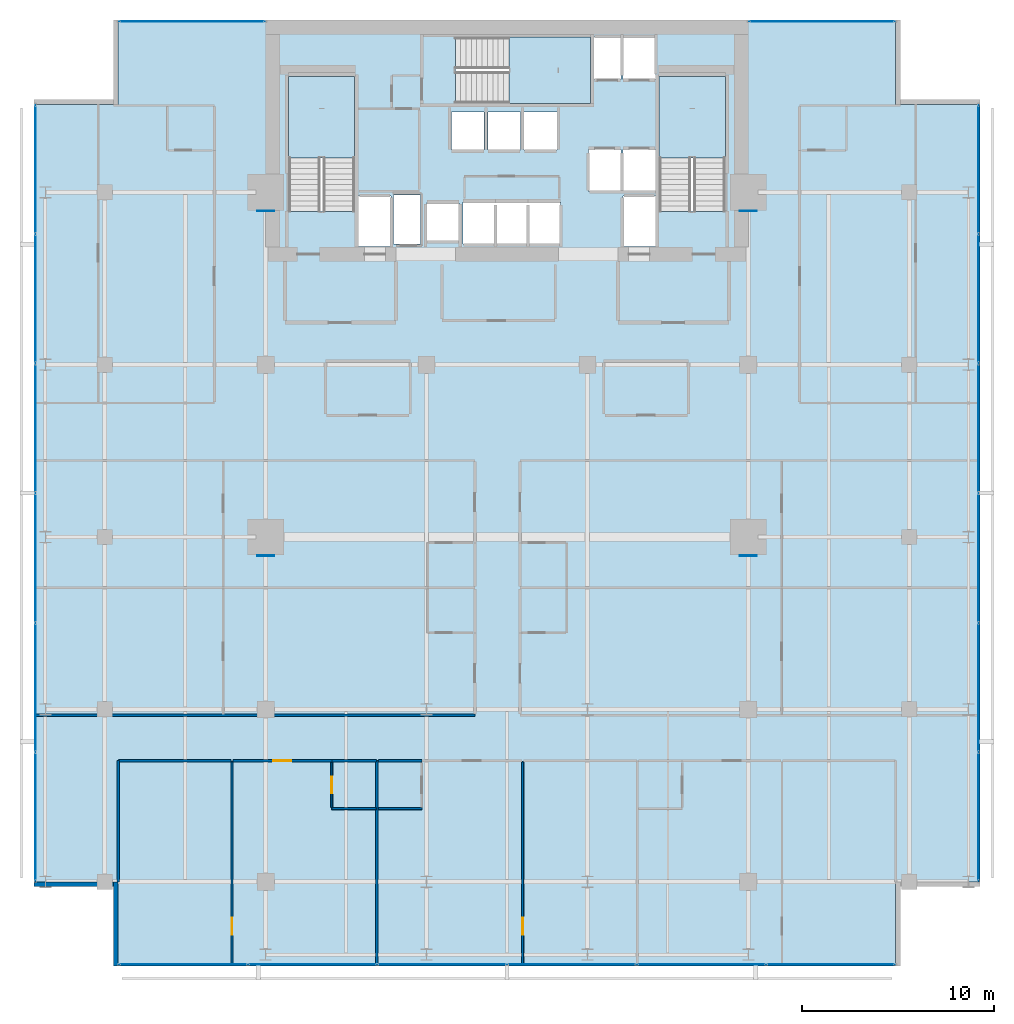
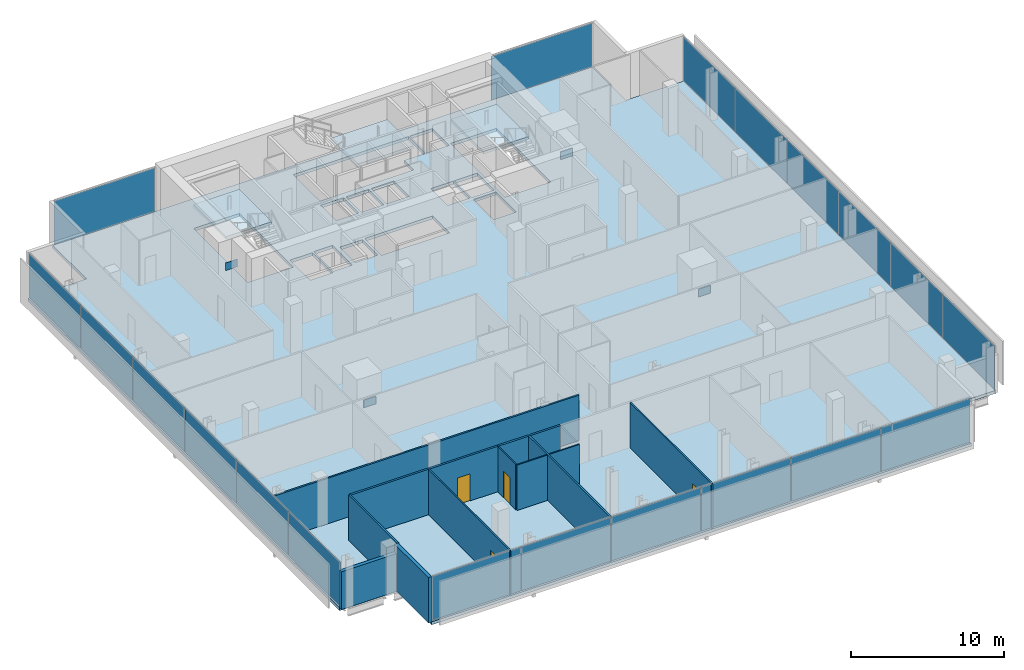
# One storey, part 26 of 32: 24 plates, 14 walls, 4 doors, 4 slabs, 4 openings, 8 elements without a shape of their own.
"""IFC4 building model written with IfcOpenShell, lengths in metres."""

from ifc_helpers import new_model, si_unit, direction, frame, frame_2d, origin, origin_2d, place, context, subcontext, project, spatial, polyline, rectangle, outline, extrude, material, layer, layer_set, type_object, element, fill, aggregate, save


model = new_model("IFC4")

# Units and contexts
model_context = context("Model", 3, precision=1e-05, world=origin(), true_north=direction((0.0, 1.0)))
body_context = subcontext(model_context, "Body", "Model", "MODEL_VIEW")
ifc_project = project(units=[si_unit("LENGTHUNIT", "METRE"), si_unit("AREAUNIT", "SQUARE_METRE"), si_unit("VOLUMEUNIT", "CUBIC_METRE"), si_unit("PLANEANGLEUNIT", "RADIAN"), si_unit("MASSUNIT", "GRAM", prefix="KILO")], contexts=[model_context])

# Site, building, storey
site_placement = place(None, origin())
site = spatial("IfcSite", under=ifc_project, at=site_placement, CompositionType="ELEMENT")
building_placement = place(site_placement, origin())
building = spatial("IfcBuilding", under=site, at=building_placement, Name="Maruvema Waterfront Hotel and Observation Tower", CompositionType="ELEMENT")
storey_placement = place(building_placement, frame((0.0, 0.0, 162.050048828125)))
storey = spatial("IfcBuildingStorey", under=building, at=storey_placement, Name="L39", CompositionType="ELEMENT", Elevation=162.050048828125)

# Slab
ifc_material_1 = material(Name="Concrete C50/60", Category="concrete")
ifc_layer_1 = layer(ifc_material_1, 0.239990234375, Name="Reinforced Concrete Floor Slab 240 mm")
ifc_layer_set_1 = layer_set([ifc_layer_1], Name="Concrete C50/60")
slab_type_1 = type_object("IfcSlabType", Name="Reinforced Concrete Floor Slab 240 mm", PredefinedType="FLOOR", material=ifc_layer_set_1)
slab_1_placement = place(storey_placement, frame((0.0, 0.0, -0.239990234375)))
element("IfcSlab", 1, at=slab_1_placement, inside=storey, type_object=slab_type_1, Name="L39 Structural Floor Slab", PredefinedType="FLOOR", context=body_context, shape_type="SweptSolid", body=[
    extrude(outline(polyline([(17.5, 4.60009765625), (58.10009765625, 4.60009765625), (58.10009765625, 9.0), (62.5, 9.0), (62.5, 49.60009765625), (58.10009765625, 49.60009765625), (58.10009765625, 54.0), (17.5, 54.0), (17.5, 49.60009765625), (13.10009765625, 49.60009765625), (13.10009765625, 9.0), (17.5, 9.0), (17.5, 4.60009765625)]), holes=[polyline([(26.39990234375, 44.00048828125), (26.39990234375, 51.050048828125), (29.85009765625, 51.050048828125), (29.85009765625, 44.00048828125), (26.39990234375, 44.00048828125)]), polyline([(30.050048828125, 44.800048828125), (31.75, 44.800048828125), (31.75, 42.169921875), (30.050048828125, 42.169921875), (30.050048828125, 44.800048828125)]), polyline([(31.8798828125, 44.860107421875), (33.280029296875, 44.860107421875), (33.280029296875, 42.2900390625), (31.8798828125, 42.2900390625), (31.8798828125, 44.860107421875)]), polyline([(33.60009765625, 44.449951171875), (35.300048828125, 44.449951171875), (35.300048828125, 42.449951171875), (33.60009765625, 42.449951171875), (33.60009765625, 44.449951171875)]), polyline([(34.89990234375, 49.199951171875), (36.60009765625, 49.199951171875), (36.60009765625, 47.199951171875), (34.89990234375, 47.199951171875), (34.89990234375, 49.199951171875)]), polyline([(36.800048828125, 49.199951171875), (38.5, 49.199951171875), (38.5, 47.199951171875), (36.800048828125, 47.199951171875), (36.800048828125, 49.199951171875)]), polyline([(35.5, 42.300048828125), (35.5, 44.5), (40.60009765625, 44.5), (40.60009765625, 42.300048828125), (35.5, 42.300048828125)]), polyline([(35.1005859375, 53.10009765625), (43.75, 53.10009765625), (43.75, 50.89990234375), (42.14990234375, 50.89990234375), (42.14990234375, 49.64990234375), (35.1005859375, 49.64990234375), (35.1005859375, 53.10009765625)]), polyline([(38.699951171875, 49.199951171875), (40.39990234375, 49.199951171875), (40.39990234375, 47.199951171875), (38.699951171875, 47.199951171875), (38.699951171875, 49.199951171875)]), polyline([(42.050048828125, 47.25), (43.75, 47.25), (43.75, 45.050048828125), (42.050048828125, 45.050048828125), (42.050048828125, 47.25)]), polyline([(43.85009765625, 44.800048828125), (45.550048828125, 44.800048828125), (45.550048828125, 42.169921875), (43.85009765625, 42.169921875), (43.85009765625, 44.800048828125)]), polyline([(43.85009765625, 47.25), (45.550048828125, 47.25), (45.550048828125, 45.050048828125), (43.85009765625, 45.050048828125), (43.85009765625, 47.25)]), polyline([(45.550048828125, 53.10009765625), (45.550048828125, 50.89990234375), (43.85009765625, 50.89990234375), (43.85009765625, 53.10009765625), (45.550048828125, 53.10009765625)]), polyline([(45.75, 44.00048828125), (45.75, 51.050048828125), (49.199951171875, 51.050048828125), (49.199951171875, 44.00048828125), (45.75, 44.00048828125)])]), origin(), (0.0, 0.0, 1.0), 0.239990234375),
])

# Curtain wall, plates
ifc_material_2 = material(Name="Anodised bronze aluminium and solar-control low-E IGU", Category="aluminium")
ifc_layer_2 = layer(ifc_material_2, 0.159912109375, Name="Zone 2 Amber Inner Thermal Curtain Wall System CW-03")
ifc_layer_set_2 = layer_set([ifc_layer_2], Name="Anodised bronze aluminium and solar-control low-E IGU")
curtain_wall_type = type_object("IfcCurtainWallType", Name="Zone 2 Amber Inner Thermal Curtain Wall System CW-03", PredefinedType="USERDEFINED", material=ifc_layer_set_2)
curtain_wall_1_placement = place(storey_placement, origin())
curtain_wall_1 = element("IfcCurtainWall", 2, at=curtain_wall_1_placement, inside=storey, type_object=curtain_wall_type, Name="L39 Curtain Wall CW-L39-S", ObjectType="UNITISED CURTAIN WALL", PredefinedType="USERDEFINED")
ifc_material_3 = material(Name="Laminated low-E solar-control double glazing", Category="glass")
ifc_layer_3 = layer(ifc_material_3, 0.035888671875, Name="Solar Control Double-Glazed Curtain Panel 36 mm")
ifc_layer_set_3 = layer_set([ifc_layer_3], Name="Laminated low-E solar-control double glazing")
plate_type_1 = type_object("IfcPlateType", Name="Solar Control Double-Glazed Curtain Panel 36 mm", PredefinedType="CURTAIN_PANEL", material=ifc_layer_set_3)
plate_1_placement = place(storey_placement, frame((20.8984375, 4.679931640625, 0.06005859375), z_axis=(0.0, 0.0, 1.0), x_axis=(1.0, 0.0, 0.0)))
plate_1 = element("IfcPlate", 3, at=plate_1_placement, type_object=plate_type_1, Name="CW-03 panel 1.1", PredefinedType="CURTAIN_PANEL", context=body_context, shape_type="SweptSolid", body=[
    extrude(rectangle(XDim=6.6767578125, YDim=0.028076171875, at=origin_2d()), origin(), (0.0, 0.0, 1.0), 3.489990234375),
])
plate_2_placement = place(storey_placement, frame((27.64990234375, 4.679931640625, 0.06005859375), z_axis=(0.0, 0.0, 1.0), x_axis=(1.0, 0.0, 0.0)))
plate_2 = element("IfcPlate", 4, at=plate_2_placement, type_object=plate_type_1, Name="CW-03 panel 2.1", PredefinedType="CURTAIN_PANEL", context=body_context, shape_type="SweptSolid", body=[
    extrude(rectangle(XDim=6.706787109375, YDim=0.028076171875, at=origin_2d()), origin(), (0.0, 0.0, 1.0), 3.489990234375),
])
plate_3_placement = place(storey_placement, frame((34.416748046875, 4.679931640625, 0.06005859375), z_axis=(0.0, 0.0, 1.0), x_axis=(1.0, 0.0, 0.0)))
plate_3 = element("IfcPlate", 5, at=plate_3_placement, type_object=plate_type_1, Name="CW-03 panel 3.1", PredefinedType="CURTAIN_PANEL", context=body_context, shape_type="SweptSolid", body=[
    extrude(rectangle(XDim=6.706787109375, YDim=0.028076171875, at=origin_2d()), origin(), (0.0, 0.0, 1.0), 3.489990234375),
])
plate_4_placement = place(storey_placement, frame((41.183349609375, 4.679931640625, 0.06005859375), z_axis=(0.0, 0.0, 1.0), x_axis=(1.0, 0.0, 0.0)))
plate_4 = element("IfcPlate", 6, at=plate_4_placement, type_object=plate_type_1, Name="CW-03 panel 4.1", PredefinedType="CURTAIN_PANEL", context=body_context, shape_type="SweptSolid", body=[
    extrude(rectangle(XDim=6.706787109375, YDim=0.028076171875, at=origin_2d()), origin(), (0.0, 0.0, 1.0), 3.489990234375),
])
plate_5_placement = place(storey_placement, frame((47.949951171875, 4.679931640625, 0.06005859375), z_axis=(0.0, 0.0, 1.0), x_axis=(1.0, 0.0, 0.0)))
plate_5 = element("IfcPlate", 7, at=plate_5_placement, type_object=plate_type_1, Name="CW-03 panel 5.1", PredefinedType="CURTAIN_PANEL", context=body_context, shape_type="SweptSolid", body=[
    extrude(rectangle(XDim=6.706787109375, YDim=0.028076171875, at=origin_2d()), origin(), (0.0, 0.0, 1.0), 3.489990234375),
])
plate_6_placement = place(storey_placement, frame((54.70166015625, 4.679931640625, 0.06005859375), z_axis=(0.0, 0.0, 1.0), x_axis=(1.0, 0.0, 0.0)))
plate_6 = element("IfcPlate", 8, at=plate_6_placement, type_object=plate_type_1, Name="CW-03 panel 6.1", PredefinedType="CURTAIN_PANEL", context=body_context, shape_type="SweptSolid", body=[
    extrude(rectangle(XDim=6.6767578125, YDim=0.028076171875, at=origin_2d()), origin(), (0.0, 0.0, 1.0), 3.489990234375),
])
aggregate(curtain_wall_1, [plate_1, plate_2, plate_3, plate_4, plate_5, plate_6])

curtain_wall_2_placement = place(storey_placement, origin())
curtain_wall_2 = element("IfcCurtainWall", 9, at=curtain_wall_2_placement, inside=storey, type_object=curtain_wall_type, Name="L39 Curtain Wall CW-L39-E", ObjectType="UNITISED CURTAIN WALL", PredefinedType="USERDEFINED")
plate_7_placement = place(storey_placement, frame((62.419921875, 12.3984375, 0.06005859375), z_axis=(0.0, 0.0, 1.0), x_axis=(0.0, 1.0, 0.0)))
plate_7 = element("IfcPlate", 10, at=plate_7_placement, type_object=plate_type_1, Name="CW-03 panel 1.1", PredefinedType="CURTAIN_PANEL", context=body_context, shape_type="SweptSolid", body=[
    extrude(rectangle(XDim=6.6767578125, YDim=0.028076171875, at=origin_2d()), origin(), (0.0, 0.0, 1.0), 3.489990234375),
])
plate_8_placement = place(storey_placement, frame((62.419921875, 19.14990234375, 0.06005859375), z_axis=(0.0, 0.0, 1.0), x_axis=(0.0, 1.0, 0.0)))
plate_8 = element("IfcPlate", 11, at=plate_8_placement, type_object=plate_type_1, Name="CW-03 panel 2.1", PredefinedType="CURTAIN_PANEL", context=body_context, shape_type="SweptSolid", body=[
    extrude(rectangle(XDim=6.706787109375, YDim=0.028076171875, at=origin_2d()), origin(), (0.0, 0.0, 1.0), 3.489990234375),
])
plate_9_placement = place(storey_placement, frame((62.419921875, 25.916748046875, 0.06005859375), z_axis=(0.0, 0.0, 1.0), x_axis=(0.0, 1.0, 0.0)))
plate_9 = element("IfcPlate", 12, at=plate_9_placement, type_object=plate_type_1, Name="CW-03 panel 3.1", PredefinedType="CURTAIN_PANEL", context=body_context, shape_type="SweptSolid", body=[
    extrude(rectangle(XDim=6.706787109375, YDim=0.028076171875, at=origin_2d()), origin(), (0.0, 0.0, 1.0), 3.489990234375),
])
plate_10_placement = place(storey_placement, frame((62.419921875, 32.683349609375, 0.06005859375), z_axis=(0.0, 0.0, 1.0), x_axis=(0.0, 1.0, 0.0)))
plate_10 = element("IfcPlate", 13, at=plate_10_placement, type_object=plate_type_1, Name="CW-03 panel 4.1", PredefinedType="CURTAIN_PANEL", context=body_context, shape_type="SweptSolid", body=[
    extrude(rectangle(XDim=6.706787109375, YDim=0.028076171875, at=origin_2d()), origin(), (0.0, 0.0, 1.0), 3.489990234375),
])
plate_11_placement = place(storey_placement, frame((62.419921875, 39.449951171875, 0.06005859375), z_axis=(0.0, 0.0, 1.0), x_axis=(0.0, 1.0, 0.0)))
plate_11 = element("IfcPlate", 14, at=plate_11_placement, type_object=plate_type_1, Name="CW-03 panel 5.1", PredefinedType="CURTAIN_PANEL", context=body_context, shape_type="SweptSolid", body=[
    extrude(rectangle(XDim=6.706787109375, YDim=0.028076171875, at=origin_2d()), origin(), (0.0, 0.0, 1.0), 3.489990234375),
])
plate_12_placement = place(storey_placement, frame((62.419921875, 46.20166015625, 0.06005859375), z_axis=(0.0, 0.0, 1.0), x_axis=(0.0, 1.0, 0.0)))
plate_12 = element("IfcPlate", 15, at=plate_12_placement, type_object=plate_type_1, Name="CW-03 panel 6.1", PredefinedType="CURTAIN_PANEL", context=body_context, shape_type="SweptSolid", body=[
    extrude(rectangle(XDim=6.6767578125, YDim=0.028076171875, at=origin_2d()), origin(), (0.0, 0.0, 1.0), 3.489990234375),
])
aggregate(curtain_wall_2, [plate_7, plate_8, plate_9, plate_10, plate_11, plate_12])

curtain_wall_3_placement = place(storey_placement, origin())
curtain_wall_3 = element("IfcCurtainWall", 16, at=curtain_wall_3_placement, inside=storey, type_object=curtain_wall_type, Name="L39 Curtain Wall CW-L39-W", ObjectType="UNITISED CURTAIN WALL", PredefinedType="USERDEFINED")
plate_13_placement = place(storey_placement, frame((13.179931640625, 46.20166015625, 0.06005859375), z_axis=(0.0, 0.0, 1.0), x_axis=(0.0, -1.0, 0.0)))
plate_13 = element("IfcPlate", 17, at=plate_13_placement, type_object=plate_type_1, Name="CW-03 panel 1.1", PredefinedType="CURTAIN_PANEL", context=body_context, shape_type="SweptSolid", body=[
    extrude(rectangle(XDim=6.6767578125, YDim=0.028076171875, at=origin_2d()), origin(), (0.0, 0.0, 1.0), 3.489990234375),
])
plate_14_placement = place(storey_placement, frame((13.179931640625, 39.449951171875, 0.06005859375), z_axis=(0.0, 0.0, 1.0), x_axis=(0.0, -1.0, 0.0)))
plate_14 = element("IfcPlate", 18, at=plate_14_placement, type_object=plate_type_1, Name="CW-03 panel 2.1", PredefinedType="CURTAIN_PANEL", context=body_context, shape_type="SweptSolid", body=[
    extrude(rectangle(XDim=6.706787109375, YDim=0.028076171875, at=origin_2d()), origin(), (0.0, 0.0, 1.0), 3.489990234375),
])
plate_15_placement = place(storey_placement, frame((13.179931640625, 32.683349609375, 0.06005859375), z_axis=(0.0, 0.0, 1.0), x_axis=(0.0, -1.0, 0.0)))
plate_15 = element("IfcPlate", 19, at=plate_15_placement, type_object=plate_type_1, Name="CW-03 panel 3.1", PredefinedType="CURTAIN_PANEL", context=body_context, shape_type="SweptSolid", body=[
    extrude(rectangle(XDim=6.706787109375, YDim=0.028076171875, at=origin_2d()), origin(), (0.0, 0.0, 1.0), 3.489990234375),
])
plate_16_placement = place(storey_placement, frame((13.179931640625, 25.916748046875, 0.06005859375), z_axis=(0.0, 0.0, 1.0), x_axis=(0.0, -1.0, 0.0)))
plate_16 = element("IfcPlate", 20, at=plate_16_placement, type_object=plate_type_1, Name="CW-03 panel 4.1", PredefinedType="CURTAIN_PANEL", context=body_context, shape_type="SweptSolid", body=[
    extrude(rectangle(XDim=6.706787109375, YDim=0.028076171875, at=origin_2d()), origin(), (0.0, 0.0, 1.0), 3.489990234375),
])
plate_17_placement = place(storey_placement, frame((13.179931640625, 19.14990234375, 0.06005859375), z_axis=(0.0, 0.0, 1.0), x_axis=(0.0, -1.0, 0.0)))
plate_17 = element("IfcPlate", 21, at=plate_17_placement, type_object=plate_type_1, Name="CW-03 panel 5.1", PredefinedType="CURTAIN_PANEL", context=body_context, shape_type="SweptSolid", body=[
    extrude(rectangle(XDim=6.706787109375, YDim=0.028076171875, at=origin_2d()), origin(), (0.0, 0.0, 1.0), 3.489990234375),
])
plate_18_placement = place(storey_placement, frame((13.179931640625, 12.3984375, 0.06005859375), z_axis=(0.0, 0.0, 1.0), x_axis=(0.0, -1.0, 0.0)))
plate_18 = element("IfcPlate", 22, at=plate_18_placement, type_object=plate_type_1, Name="CW-03 panel 6.1", PredefinedType="CURTAIN_PANEL", context=body_context, shape_type="SweptSolid", body=[
    extrude(rectangle(XDim=6.6767578125, YDim=0.028076171875, at=origin_2d()), origin(), (0.0, 0.0, 1.0), 3.489990234375),
])
aggregate(curtain_wall_3, [plate_13, plate_14, plate_15, plate_16, plate_17, plate_18])

# Curtain wall, plate
curtain_wall_4_placement = place(storey_placement, origin())
curtain_wall_4 = element("IfcCurtainWall", 23, at=curtain_wall_4_placement, inside=storey, type_object=curtain_wall_type, Name="L39 Curtain Wall CW-L39-NW", ObjectType="UNITISED CURTAIN WALL", PredefinedType="USERDEFINED")
plate_19_placement = place(storey_placement, frame((21.35009765625, 53.919921875, 0.06005859375), z_axis=(0.0, 0.0, 1.0), x_axis=(-1.0, 0.0, 0.0)))
plate_19 = element("IfcPlate", 24, at=plate_19_placement, type_object=plate_type_1, Name="CW-03 panel 1.1", PredefinedType="CURTAIN_PANEL", context=body_context, shape_type="SweptSolid", body=[
    extrude(rectangle(XDim=7.580078125, YDim=0.028076171875, at=origin_2d()), origin(), (0.0, 0.0, 1.0), 3.489990234375),
])
aggregate(curtain_wall_4, [plate_19])

curtain_wall_5_placement = place(storey_placement, origin())
curtain_wall_5 = element("IfcCurtainWall", 25, at=curtain_wall_5_placement, inside=storey, type_object=curtain_wall_type, Name="L39 Curtain Wall CW-L39-NE", ObjectType="UNITISED CURTAIN WALL", PredefinedType="USERDEFINED")
plate_20_placement = place(storey_placement, frame((54.25, 53.919921875, 0.06005859375), z_axis=(0.0, 0.0, 1.0), x_axis=(-1.0, 0.0, 0.0)))
plate_20 = element("IfcPlate", 26, at=plate_20_placement, type_object=plate_type_1, Name="CW-03 panel 1.1", PredefinedType="CURTAIN_PANEL", context=body_context, shape_type="SweptSolid", body=[
    extrude(rectangle(XDim=7.580078125, YDim=0.028076171875, at=origin_2d()), origin(), (0.0, 0.0, 1.0), 3.489990234375),
])
aggregate(curtain_wall_5, [plate_20])

# Stair, slab
ifc_material_4 = material(Name="Concrete C50/60", Category="concrete")
stair_type = type_object("IfcStairType", Name="Dogleg Exit Stair 1650 mm (22R x 175.0 mm)", PredefinedType="HALF_TURN_STAIR", material=ifc_material_4)
stair_1_placement = place(storey_placement, origin())
stair_1 = element("IfcStair", 27, at=stair_1_placement, inside=storey, type_object=stair_type, Name="L39 ST-01", PredefinedType="HALF_TURN_STAIR")
ifc_material_5 = material(Name="Concrete C50/60", Category="concrete")
ifc_layer_4 = layer(ifc_material_5, 0.219970703125, Name="Stair Concrete Landing Slab 220 mm")
ifc_layer_set_4 = layer_set([ifc_layer_4], Name="Concrete C50/60")
slab_type_2 = type_object("IfcSlabType", Name="Stair Concrete Landing Slab 220 mm", PredefinedType="LANDING", material=ifc_layer_set_4)
slab_2_placement = place(storey_placement, frame((0.0, 0.0, 1.704833984375)))
slab_2 = element("IfcSlab", 28, at=slab_2_placement, type_object=slab_type_2, Name="ST-01 landing 1", PredefinedType="LANDING", context=body_context, shape_type="SweptSolid", body=[
    extrude(outline(polyline([(29.85009765625, 46.800048828125), (29.85009765625, 51.050048828125), (26.39990234375, 51.050048828125), (26.39990234375, 46.800048828125), (29.85009765625, 46.800048828125)])), origin(), (0.0, 0.0, 1.0), 0.22021484375),
])
aggregate(stair_1, [slab_2])

stair_2_placement = place(storey_placement, origin())
stair_2 = element("IfcStair", 29, at=stair_2_placement, inside=storey, type_object=stair_type, Name="L39 ST-02", PredefinedType="HALF_TURN_STAIR")
slab_3_placement = place(storey_placement, frame((0.0, 0.0, 1.704833984375)))
slab_3 = element("IfcSlab", 30, at=slab_3_placement, type_object=slab_type_2, Name="ST-02 landing 1", PredefinedType="LANDING", context=body_context, shape_type="SweptSolid", body=[
    extrude(outline(polyline([(37.89990234375, 49.64990234375), (42.14990234375, 49.64990234375), (42.14990234375, 53.10009765625), (37.89990234375, 53.10009765625), (37.89990234375, 49.64990234375)])), origin(), (0.0, 0.0, 1.0), 0.22021484375),
])
aggregate(stair_2, [slab_3])

stair_3_placement = place(storey_placement, origin())
stair_3 = element("IfcStair", 31, at=stair_3_placement, inside=storey, type_object=stair_type, Name="L39 ST-03", PredefinedType="HALF_TURN_STAIR")
slab_4_placement = place(storey_placement, frame((0.0, 0.0, 1.704833984375)))
slab_4 = element("IfcSlab", 32, at=slab_4_placement, type_object=slab_type_2, Name="ST-03 landing 1", PredefinedType="LANDING", context=body_context, shape_type="SweptSolid", body=[
    extrude(outline(polyline([(49.199951171875, 46.800048828125), (49.199951171875, 51.050048828125), (45.75, 51.050048828125), (45.75, 46.800048828125), (49.199951171875, 46.800048828125)])), origin(), (0.0, 0.0, 1.0), 0.22021484375),
])
aggregate(stair_3, [slab_4])

# Plates
ifc_material_6 = material(Name="Steel ABNT NBR 7007 AR 415 (ASTM A572 Grade 50)", Category="steel")
ifc_layer_5 = layer(ifc_material_6, 0.0400390625, Name="Structural Truss Node Gusset Plate 40 mm")
ifc_layer_set_5 = layer_set([ifc_layer_5], Name="Steel ABNT NBR 7007 AR 415 (ASTM A572 Grade 50)")
plate_type_2 = type_object("IfcPlateType", Name="Structural Truss Node Gusset Plate 40 mm", PredefinedType="USERDEFINED", material=ifc_layer_set_5)
for number, where, z_axis, x_axis, name in (
    (33, (25.199951171875, 26.030029296875, 1.5), (0.0, 0.0, 1.0), (1.0, 0.0, 0.0), "L39 MC-01 Moment Frame Continuity Gusset Plate"),
    (34, (50.39990234375, 26.030029296875, 1.5), (0.0, 0.0, 1.0), (1.0, 0.0, 0.0), "L39 MC-02 Moment Frame Continuity Gusset Plate"),
    (35, (25.199951171875, 44.030029296875, 1.5), (0.0, 0.0, 1.0), (1.0, 0.0, 0.0), "L39 MC-03 Moment Frame Continuity Gusset Plate"),
    (36, (50.39990234375, 44.030029296875, 1.5), (0.0, 0.0, 1.0), (1.0, 0.0, 0.0), "L39 MC-04 Moment Frame Continuity Gusset Plate"),
):
    element("IfcPlate", number, at=place(storey_placement, frame(where, z_axis=z_axis, x_axis=x_axis)), inside=storey, type_object=plate_type_2, Name=name, ObjectType="GUSSET_PLATE", PredefinedType="USERDEFINED", context=body_context, shape_type="SweptSolid", body=[
        extrude(rectangle(XDim=0.89990234375, YDim=0.0400390625, at=origin_2d()), origin(), (0.0, 0.0, 1.0), 0.60009765625),
    ])

# Walls
ifc_material_7 = material(Name="Twin-stud acoustic gypsum drywall", Category="gypsum")
ifc_layer_6 = layer(ifc_material_7, 0.14990234375, Name="Acoustic Corridor and Suite Demising Wall 150 mm")
ifc_layer_set_6 = layer_set([ifc_layer_6], Name="Twin-stud acoustic gypsum drywall")
wall_type_1 = type_object("IfcWallType", Name="Acoustic Corridor and Suite Demising Wall 150 mm", PredefinedType="PARTITIONING", material=ifc_layer_set_6)
wall_1_placement = place(storey_placement, frame((28.64990234375, 15.320068359375, 0.0), z_axis=(0.0, 0.0, 1.0), x_axis=(1.0, 0.0, 0.0)))
element("IfcWall", 37, at=wall_1_placement, inside=storey, type_object=wall_type_1, Name="L39 Bath L39-S1 Back Wall 031", PredefinedType="PARTITIONING", context=body_context, shape_type="SweptSolid", body=[
    extrude(rectangle(XDim=2.330078125, YDim=0.14990234375, at=frame_2d((1.1650390625, 0.0))), origin(), (0.0, 0.0, 1.0), 3.60986328125),
])
wall_2_placement = place(storey_placement, frame((17.52001953125, 15.320068359375, 0.0), z_axis=(0.0, 0.0, 1.0), x_axis=(1.0, 0.0, 0.0)))
element("IfcWall", 38, at=wall_2_placement, inside=storey, type_object=wall_type_1, Name="L39 Bedroom L39-S1 Back Wall 034", PredefinedType="PARTITIONING", context=body_context, shape_type="SweptSolid", body=[
    extrude(rectangle(XDim=5.8798828125, YDim=0.14990234375, at=frame_2d((2.93994140625, 0.0))), origin(), (0.0, 0.0, 1.0), 3.60986328125),
])

# Wall, opening, door
wall_3_placement = place(storey_placement, frame((23.47998046875, 15.320068359375, 0.0), z_axis=(0.0, 0.0, 1.0), x_axis=(1.0, 0.0, 0.0)))
wall_3 = element("IfcWall", 39, at=wall_3_placement, inside=storey, type_object=wall_type_1, Name="L39 Unit L39-S1 Corridor Wall 035", PredefinedType="PARTITIONING", context=body_context, shape_type="SweptSolid", body=[
    extrude(rectangle(XDim=5.169921875, YDim=0.14990234375, at=frame_2d((2.5849609375, 0.0))), origin(), (0.0, 0.0, 1.0), 3.60986328125),
])
opening_1_placement = place(wall_3_placement, frame((2.110107421875, 0.0, 0.0)))
opening_1 = element("IfcOpeningElement", 40, at=opening_1_placement, cuts=wall_3, Name="Opening DR-095", PredefinedType="OPENING", context=body_context, shape_type="SweptSolid", body=[
    extrude(rectangle(XDim=0.949951171875, YDim=2.14990234375, at=frame_2d((0.47509765625, 1.074951171875))), frame((0.0, 0.0849609375, 0.0), z_axis=(0.0, -1.0, 0.0), x_axis=(1.0, 0.0, 0.0)), (0.0, 0.0, 1.0), 0.169921875),
])
ifc_material_8 = material(Name="Acoustic solid-core hardwood timber leaf", Category="wood")
door_type_1 = type_object("IfcDoorType", Name="Guestroom Entrance Fire Door 950x2150 mm", OperationType="NOTDEFINED", PredefinedType="DOOR", material=ifc_material_8)
door_1_placement = place(opening_1_placement, frame((0.949951171875, 0.0, 0.0), z_axis=(0.0, 0.0, 1.0), x_axis=(-1.0, 0.0, 0.0)))
door_1 = element("IfcDoor", 41, at=door_1_placement, inside=storey, type_object=door_type_1, Name="L39 Unit L39-S1 Entrance Door", OperationType="SINGLE_SWING_LEFT", OverallHeight=2.14990234375, OverallWidth=0.949951171875, PredefinedType="DOOR", context=body_context, shape_type="SweptSolid", body=[
    extrude(rectangle(XDim=0.949951171875, YDim=2.14990234375, at=frame_2d((0.47509765625, 1.074951171875))), frame((0.0, 0.02490234375, 0.0), z_axis=(0.0, -1.0, 0.0), x_axis=(1.0, 0.0, 0.0)), (0.0, 0.0, 1.0), 0.050048828125),
])
fill(opening_1, door_1)

# Walls
wall_4_placement = place(storey_placement, frame((31.080078125, 15.320068359375, 0.0), z_axis=(0.0, 0.0, 1.0), x_axis=(1.0, 0.0, 0.0)))
element("IfcWall", 42, at=wall_4_placement, inside=storey, type_object=wall_type_1, Name="L39 Bath L39-S2 Back Wall 038", PredefinedType="PARTITIONING", context=body_context, shape_type="SweptSolid", body=[
    extrude(rectangle(XDim=2.27001953125, YDim=0.14990234375, at=frame_2d((1.135009765625, 0.0))), origin(), (0.0, 0.0, 1.0), 3.60986328125),
])
ifc_material_9 = material(Name="Moisture-resistant cement-board drywall", Category="gypsum")
ifc_layer_7 = layer(ifc_material_9, 0.10009765625, Name="En-Suite Moisture-Resistant Partition 100 mm")
ifc_layer_set_7 = layer_set([ifc_layer_7], Name="Moisture-resistant cement-board drywall")
wall_type_2 = type_object("IfcWallType", Name="En-Suite Moisture-Resistant Partition 100 mm", PredefinedType="PARTITIONING", material=ifc_layer_set_7)
wall_5_placement = place(storey_placement, frame((28.64990234375, 12.820068359375, 0.0), z_axis=(0.0, 0.0, 1.0), x_axis=(1.0, 0.0, 0.0)))
element("IfcWall", 43, at=wall_5_placement, inside=storey, type_object=wall_type_2, Name="L39 En-Suite L39-S1 South 032", PredefinedType="PARTITIONING", context=body_context, shape_type="SweptSolid", body=[
    extrude(rectangle(XDim=2.31005859375, YDim=0.10009765625, at=frame_2d((1.155029296875, 0.0))), origin(), (0.0, 0.0, 1.0), 3.60986328125),
])

# Wall, opening, door
wall_6_placement = place(storey_placement, frame((28.64990234375, 12.8798828125, 0.0), z_axis=(0.0, 0.0, 1.0), x_axis=(0.0, 1.0, 0.0)))
wall_6 = element("IfcWall", 44, at=wall_6_placement, inside=storey, type_object=wall_type_2, Name="L39 En-Suite L39-S1 West 033", PredefinedType="PARTITIONING", context=body_context, shape_type="SweptSolid", body=[
    extrude(rectangle(XDim=2.340087890625, YDim=0.10009765625, at=frame_2d((1.169921875, 0.0))), origin(), (0.0, 0.0, 1.0), 3.60986328125),
])
opening_2_placement = place(wall_6_placement, frame((0.7451171875, 0.0, 0.0)))
opening_2 = element("IfcOpeningElement", 45, at=opening_2_placement, cuts=wall_6, Name="Opening DR-085", PredefinedType="OPENING", context=body_context, shape_type="SweptSolid", body=[
    extrude(rectangle(XDim=0.85009765625, YDim=2.10009765625, at=frame_2d((0.425048828125, 1.050048828125))), frame((0.0, 0.06005859375, 0.0), z_axis=(0.0, -1.0, 0.0), x_axis=(1.0, 0.0, 0.0)), (0.0, 0.0, 1.0), 0.1201171875),
])
ifc_material_10 = material(Name="Moisture-resistant solid timber leaf", Category="wood")
door_type_2 = type_object("IfcDoorType", Name="En-Suite Bathroom Door 850x2100 mm", OperationType="NOTDEFINED", PredefinedType="DOOR", material=ifc_material_10)
door_2_placement = place(opening_2_placement, origin())
door_2 = element("IfcDoor", 46, at=door_2_placement, inside=storey, type_object=door_type_2, Name="L39 En-Suite L39-S1 Door", OperationType="SINGLE_SWING_RIGHT", OverallHeight=2.10009765625, OverallWidth=0.85009765625, PredefinedType="DOOR", context=body_context, shape_type="SweptSolid", body=[
    extrude(rectangle(XDim=0.85009765625, YDim=2.10009765625, at=frame_2d((0.425048828125, 1.050048828125))), frame((0.0, 0.02490234375, 0.0), z_axis=(0.0, -1.0, 0.0), x_axis=(1.0, 0.0, 0.0)), (0.0, 0.0, 1.0), 0.050048828125),
])
fill(opening_2, door_2)

wall_7_placement = place(storey_placement, frame((23.43994140625, 4.6298828125, 0.0), z_axis=(0.0, 0.0, 1.0), x_axis=(0.0, 1.0, 0.0)))
wall_7 = element("IfcWall", 47, at=wall_7_placement, inside=storey, type_object=wall_type_2, Name="L39 Suite L39-S1 Split 036", PredefinedType="PARTITIONING", context=body_context, shape_type="SweptSolid", body=[
    extrude(rectangle(XDim=10.630126953125, YDim=0.10009765625, at=frame_2d((5.31494140625, 0.0))), origin(), (0.0, 0.0, 1.0), 3.60986328125),
])
opening_3_placement = place(wall_7_placement, frame((1.60009765625, 0.0, 0.0)))
opening_3 = element("IfcOpeningElement", 48, at=opening_3_placement, cuts=wall_7, Name="Opening DR-090", PredefinedType="OPENING", context=body_context, shape_type="SweptSolid", body=[
    extrude(rectangle(XDim=0.89990234375, YDim=2.10009765625, at=frame_2d((0.449951171875, 1.050048828125))), frame((0.0, 0.06005859375, 0.0), z_axis=(0.0, -1.0, 0.0), x_axis=(1.0, 0.0, 0.0)), (0.0, 0.0, 1.0), 0.1201171875),
])
ifc_material_11 = material(Name="Solid-core lacquered timber leaf", Category="wood")
door_type_3 = type_object("IfcDoorType", Name="Accessible Toilet and Room Door 900x2100 mm", OperationType="NOTDEFINED", PredefinedType="DOOR", material=ifc_material_11)
door_3_placement = place(opening_3_placement, frame((0.89990234375, 0.0, 0.0), z_axis=(0.0, 0.0, 1.0), x_axis=(-1.0, 0.0, 0.0)))
door_3 = element("IfcDoor", 49, at=door_3_placement, inside=storey, type_object=door_type_3, Name="L39 Suite L39-S1 Bedroom Door", OperationType="SINGLE_SWING_RIGHT", OverallHeight=2.10009765625, OverallWidth=0.89990234375, PredefinedType="DOOR", context=body_context, shape_type="SweptSolid", body=[
    extrude(rectangle(XDim=0.89990234375, YDim=2.10009765625, at=frame_2d((0.449951171875, 1.050048828125))), frame((0.0, 0.02490234375, 0.0), z_axis=(0.0, -1.0, 0.0), x_axis=(1.0, 0.0, 0.0)), (0.0, 0.0, 1.0), 0.050048828125),
])
fill(opening_3, door_3)

# Wall
wall_8_placement = place(storey_placement, frame((31.080078125, 12.820068359375, 0.0), z_axis=(0.0, 0.0, 1.0), x_axis=(1.0, 0.0, 0.0)))
element("IfcWall", 50, at=wall_8_placement, inside=storey, type_object=wall_type_2, Name="L39 En-Suite L39-S2 South 039", PredefinedType="PARTITIONING", context=body_context, shape_type="SweptSolid", body=[
    extrude(rectangle(XDim=2.27001953125, YDim=0.10009765625, at=frame_2d((1.135009765625, 0.0))), origin(), (0.0, 0.0, 1.0), 3.60986328125),
])

# Wall, opening, door
wall_9_placement = place(storey_placement, frame((38.615966796875, 4.6298828125, 0.0), z_axis=(0.0, 0.0, 1.0), x_axis=(0.0, 1.0, 0.0)))
wall_9 = element("IfcWall", 51, at=wall_9_placement, inside=storey, type_object=wall_type_2, Name="L39 Suite L39-S2 Split 043", PredefinedType="PARTITIONING", context=body_context, shape_type="SweptSolid", body=[
    extrude(rectangle(XDim=10.630126953125, YDim=0.10009765625, at=frame_2d((5.31494140625, 0.0))), origin(), (0.0, 0.0, 1.0), 3.60986328125),
])
opening_4_placement = place(wall_9_placement, frame((1.60009765625, 0.0, 0.0)))
opening_4 = element("IfcOpeningElement", 52, at=opening_4_placement, cuts=wall_9, Name="Opening DR-090", PredefinedType="OPENING", context=body_context, shape_type="SweptSolid", body=[
    extrude(rectangle(XDim=0.89990234375, YDim=2.10009765625, at=frame_2d((0.449951171875, 1.050048828125))), frame((0.0, 0.06005859375, 0.0), z_axis=(0.0, -1.0, 0.0), x_axis=(1.0, 0.0, 0.0)), (0.0, 0.0, 1.0), 0.1201171875),
])
door_4_placement = place(opening_4_placement, origin())
door_4 = element("IfcDoor", 53, at=door_4_placement, inside=storey, type_object=door_type_3, Name="L39 Suite L39-S2 Bedroom Door", OperationType="SINGLE_SWING_LEFT", OverallHeight=2.10009765625, OverallWidth=0.89990234375, PredefinedType="DOOR", context=body_context, shape_type="SweptSolid", body=[
    extrude(rectangle(XDim=0.89990234375, YDim=2.10009765625, at=frame_2d((0.449951171875, 1.050048828125))), frame((0.0, 0.02490234375, 0.0), z_axis=(0.0, -1.0, 0.0), x_axis=(1.0, 0.0, 0.0)), (0.0, 0.0, 1.0), 0.050048828125),
])
fill(opening_4, door_4)

# Walls
ifc_material_12 = material(Name="Precast concrete C45/55 with honed Pernambuco granite facing", Category="masonry")
ifc_layer_8 = layer(ifc_material_12, 0.260009765625, Name="Exterior Granite Clad Spandrel and Pier Wall 260 mm")
ifc_layer_set_8 = layer_set([ifc_layer_8], Name="Precast concrete C45/55 with honed Pernambuco granite facing")
wall_type_3 = type_object("IfcWallType", Name="Exterior Granite Clad Spandrel and Pier Wall 260 mm", PredefinedType="SOLIDWALL", material=ifc_layer_set_8)
wall_10_placement = place(storey_placement, frame((17.3701171875, 4.60009765625, 0.0), z_axis=(0.0, 0.0, 1.0), x_axis=(0.0, 1.0, 0.0)))
element("IfcWall", 54, at=wall_10_placement, inside=storey, type_object=wall_type_3, Name="L39 Corner Notch Granite Pier Wall SW1", PredefinedType="SOLIDWALL", context=body_context, shape_type="SweptSolid", body=[
    extrude(rectangle(XDim=4.39990234375, YDim=0.260009765625, at=frame_2d((2.199951171875, 0.0))), origin(), (0.0, 0.0, 1.0), 3.60986328125),
])
wall_11_placement = place(storey_placement, frame((17.5, 8.8701171875, 0.0), z_axis=(0.0, 0.0, 1.0), x_axis=(-1.0, 0.0, 0.0)))
element("IfcWall", 55, at=wall_11_placement, inside=storey, type_object=wall_type_3, Name="L39 Corner Notch Granite Pier Wall SW2", PredefinedType="SOLIDWALL", context=body_context, shape_type="SweptSolid", body=[
    extrude(rectangle(XDim=4.39990234375, YDim=0.260009765625, at=frame_2d((2.199951171875, 0.0))), origin(), (0.0, 0.0, 1.0), 3.0068359375),
])
ifc_material_13 = material(Name="Acoustic gypsum plasterboard drywall", Category="gypsum")
ifc_layer_9 = layer(ifc_material_13, 0.125, Name="Guestroom Acoustic Demising Wall 125 mm")
ifc_layer_set_9 = layer_set([ifc_layer_9], Name="Acoustic gypsum plasterboard drywall")
wall_type_4 = type_object("IfcWallType", Name="Guestroom Acoustic Demising Wall 125 mm", PredefinedType="PARTITIONING", material=ifc_layer_set_9)
wall_12_placement = place(storey_placement, frame((17.5, 9.0, 0.0), z_axis=(0.0, 0.0, 1.0), x_axis=(0.0, 1.0, 0.0)))
element("IfcWall", 56, at=wall_12_placement, inside=storey, type_object=wall_type_4, Name="L39 Z2 S West End 029", PredefinedType="PARTITIONING", context=body_context, shape_type="SweptSolid", body=[
    extrude(rectangle(XDim=6.320068359375, YDim=0.125, at=frame_2d((3.16015625, 0.0))), origin(), (0.0, 0.0, 1.0), 3.60986328125),
])
wall_13_placement = place(storey_placement, frame((31.0, 4.699951171875, 0.0), z_axis=(0.0, 0.0, 1.0), x_axis=(0.0, 1.0, 0.0)))
element("IfcWall", 57, at=wall_13_placement, inside=storey, type_object=wall_type_4, Name="L39 Z2 S Demising 2 037", PredefinedType="PARTITIONING", context=body_context, shape_type="SweptSolid", body=[
    extrude(rectangle(XDim=10.6201171875, YDim=0.125, at=frame_2d((5.31005859375, 0.0))), origin(), (0.0, 0.0, 1.0), 3.60986328125),
])
wall_14_placement = place(storey_placement, frame((13.199951171875, 17.699951171875, 0.0), z_axis=(0.0, 0.0, 1.0), x_axis=(1.0, 0.0, 0.0)))
element("IfcWall", 58, at=wall_14_placement, inside=storey, type_object=wall_type_4, Name="L39 Z2 W Bot End 051", PredefinedType="PARTITIONING", context=body_context, shape_type="SweptSolid", body=[
    extrude(rectangle(XDim=22.920166015625, YDim=0.125, at=frame_2d((11.4599609375, 0.0))), origin(), (0.0, 0.0, 1.0), 3.60986328125),
])

save(model, "model.ifc")
